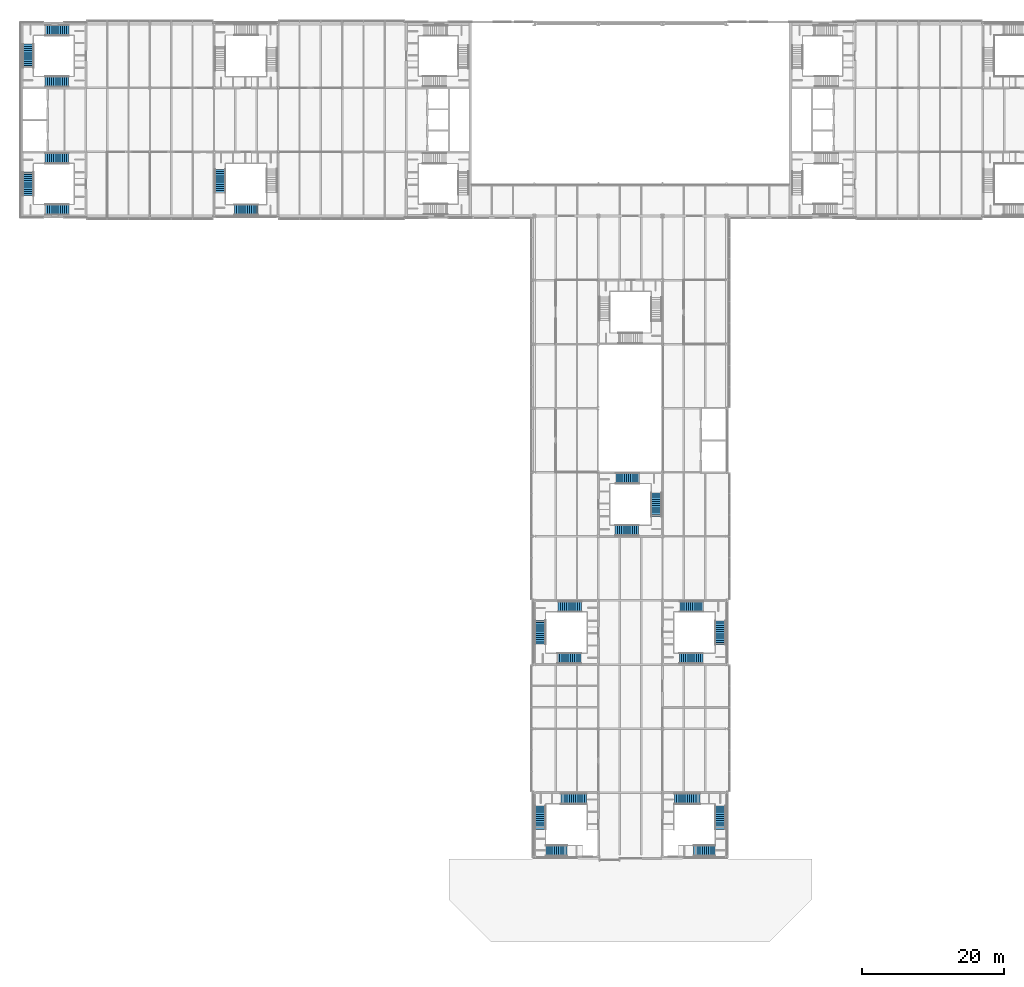
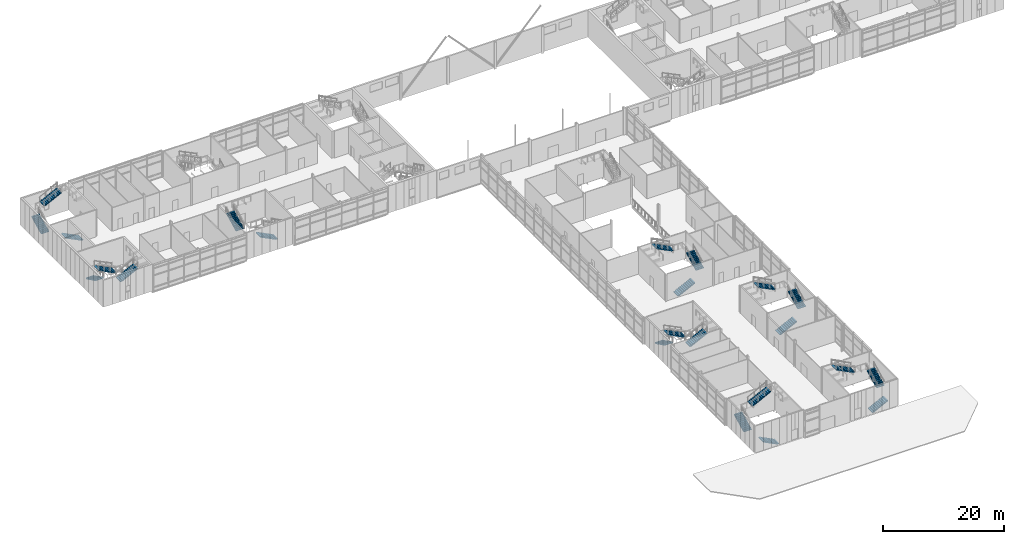
# One storey, part 44 of 56: 23 stair flights, 8 elements without a shape of their own.
"""IFC4 building model written with IfcOpenShell, lengths in metres."""

import ifcopenshell
import ifcopenshell.guid

model = None  # the IFC model being written
_history = None  # IfcOwnerHistory: only IFC2X3 demands one
_inside = {}  # id of a spatial element -> (the spatial element, [elements in it])
_under = {}  # id of a project, library or spatial element -> (it, [spatial elements below it])
_declared = {}  # id of a project -> (the project, [libraries it declares])
_typed = {}  # id of a type object -> (the type object, [elements of that type])
_made_of = {}  # id of a material, layer set ... -> (it, [elements and type objects made of it])


def new_model(schema):
    """Start an empty IFC model of exactly this schema.

    Asked for "IFC4X3", IfcOpenShell would pick the latest addendum, in which some entities
    have other attributes; the version numbers below select the first issue.
    IFC2X3 requires an IfcOwnerHistory on every rooted entity: one is made here for all.
    """
    global model, _history
    if schema == "IFC4X3":
        model = ifcopenshell.file(schema_version=(4, 3, 0, 0))
    else:
        model = ifcopenshell.file(schema=schema)
    _inside.clear()
    _under.clear()
    _declared.clear()
    _typed.clear()
    _made_of.clear()
    _history = None
    if model.schema == "IFC2X3":
        org = make("IfcOrganization", Name="unknown")
        user = make(
            "IfcPersonAndOrganization",
            ThePerson=make("IfcPerson", FamilyName="unknown"),
            TheOrganization=org,
        )
        app = make(
            "IfcApplication",
            ApplicationDeveloper=org,
            Version="unknown",
            ApplicationFullName="unknown",
            ApplicationIdentifier="unknown",
        )
        _history = make(
            "IfcOwnerHistory",
            OwningUser=user,
            OwningApplication=app,
            ChangeAction="ADDED",
            CreationDate=0,
        )
    return model


def make(cls, **values):
    """One entity of the class cls with the attributes given. An attribute that is None is left unset."""
    return model.create_entity(
        cls, **{name: value for name, value in values.items() if value is not None}
    )


def rooted(cls, **values):
    """An entity with a GlobalId (a new one), such as an element, a storey or a relation."""
    return make(cls, GlobalId=ifcopenshell.guid.new(), OwnerHistory=_history, **values)


def si_unit(unit_type, name, prefix=None):
    """IfcSIUnit, for example si_unit("LENGTHUNIT", "METRE", prefix="MILLI")."""
    return make("IfcSIUnit", UnitType=unit_type, Prefix=prefix, Name=name)


def assignment(units):
    """IfcUnitAssignment: the units of a project."""
    return None if units is None else make("IfcUnitAssignment", Units=units)


def point(xyz):
    """IfcCartesianPoint."""
    return None if xyz is None else make("IfcCartesianPoint", Coordinates=xyz)


def direction(xyz):
    """IfcDirection."""
    return None if xyz is None else make("IfcDirection", DirectionRatios=xyz)


def frame(location, z_axis=None, x_axis=None):
    """IfcAxis2Placement3D, a coordinate frame: its origin and axes. An axis left out is left unset."""
    return make(
        "IfcAxis2Placement3D",
        Location=point(location),
        Axis=direction(z_axis),
        RefDirection=direction(x_axis),
    )


def origin():
    """The frame at (0, 0, 0) with its axes left unset."""
    return frame((0.0, 0.0, 0.0))


def place(relative_to, where):
    """IfcLocalPlacement: puts the frame where relative to a parent placement (None: the world)."""
    return make(
        "IfcLocalPlacement", PlacementRelTo=relative_to, RelativePlacement=where
    )


def context(
    kind, dimensions, precision=None, world=None, true_north=None, identifier=None
):
    """IfcGeometricRepresentationContext, for example the 3D "Model" context."""
    return make(
        "IfcGeometricRepresentationContext",
        ContextIdentifier=identifier,
        ContextType=kind,
        CoordinateSpaceDimension=dimensions,
        Precision=precision,
        WorldCoordinateSystem=world,
        TrueNorth=true_north,
    )


def subcontext(parent, identifier, kind, view, scale=None):
    """IfcGeometricRepresentationSubContext, for example "Body" below "Model"."""
    return make(
        "IfcGeometricRepresentationSubContext",
        ContextIdentifier=identifier,
        ContextType=kind,
        ParentContext=parent,
        TargetScale=scale,
        TargetView=view,
    )


def project(units=None, contexts=None):
    """IfcProject with its units and contexts."""
    return rooted(
        "IfcProject",
        Name="project",
        RepresentationContexts=contexts,
        UnitsInContext=assignment(units),
    )


def spatial(cls, under=None, at=None, **own):
    """A site, building, storey or space (cls), placed at a placement, below another one or the project."""
    s = rooted(cls, ObjectPlacement=at, **own)
    if under is not None:
        _under.setdefault(under.id(), (under, []))[1].append(s)
    return s


def polyline(points):
    """IfcPolyline through the points."""
    return make("IfcPolyline", Points=[point(p) for p in points])


def outline(outer, holes=None, kind="AREA"):
    """IfcArbitraryClosedProfileDef: a profile drawn as a closed curve; with holes, ...WithVoids."""
    if holes is None:
        return make("IfcArbitraryClosedProfileDef", ProfileType=kind, OuterCurve=outer)
    return make(
        "IfcArbitraryProfileDefWithVoids",
        ProfileType=kind,
        OuterCurve=outer,
        InnerCurves=holes,
    )


def extrude(swept, where, along, depth):
    """IfcExtrudedAreaSolid: the profile swept, set in the frame where, extruded along a direction by depth."""
    return make(
        "IfcExtrudedAreaSolid",
        SweptArea=swept,
        Position=where,
        ExtrudedDirection=direction(along),
        Depth=depth,
    )


def shape(context_of_items, identifier, shape_type, items):
    """IfcShapeRepresentation: the items that make up one representation, for example the "Body"."""
    return make(
        "IfcShapeRepresentation",
        ContextOfItems=context_of_items,
        RepresentationIdentifier=identifier,
        RepresentationType=shape_type,
        Items=items,
    )


def material(Name=None, Category=None):
    """IfcMaterial."""
    return make("IfcMaterial", Name=Name, Category=Category)


def made_of(thing, what):
    """Note that an element or type object is made of a material, layer set ...; save() writes the relation."""
    if what is not None:
        _made_of.setdefault(what.id(), (what, []))[1].append(thing)
    return thing


def type_object(cls, material=None, **own):
    """A type object (cls), such as IfcWallType, which elements share."""
    return made_of(rooted(cls, **own), material)


def element(
    cls,
    number,
    at=None,
    inside=None,
    cuts=None,
    type_object=None,
    material=None,
    context=None,
    identifier="Body",
    shape_type=None,
    held_by="IfcProductDefinitionShape",
    body=None,
    shapes=None,
    **own,
):
    """One element of the class cls, such as IfcWall. Its Tag is "e" and its number.

    at: its placement. inside: the storey or other place that contains it. cuts: it is an
    opening in that element (IfcRelVoidsElement). A single representation is given by context,
    identifier, shape_type and body (its items); several are given by shapes. held_by: the class
    of the entity that holds the representations. save() writes the other relations.
    """
    e = rooted(cls, Tag="e%d" % number, ObjectPlacement=at, **own)
    if body is not None:
        shapes = [shape(context, identifier, shape_type, body)]
    if shapes is not None:
        e.Representation = make(held_by, Representations=shapes)
    if inside is not None:
        _inside.setdefault(inside.id(), (inside, []))[1].append(e)
    if cuts is not None:
        rooted(
            "IfcRelVoidsElement", RelatingBuildingElement=cuts, RelatedOpeningElement=e
        )
    if type_object is not None:
        _typed.setdefault(type_object.id(), (type_object, []))[1].append(e)
    return made_of(e, material)


def aggregate(whole, parts):
    """IfcRelAggregates: a whole, such as a stair, and the parts it consists of."""
    return rooted("IfcRelAggregates", RelatingObject=whole, RelatedObjects=parts)


def save(model, path):
    """Write the relations noted so far, then the file.

    IfcRelAggregates (storeys below a building ...), IfcRelContainedInSpatialStructure (elements
    in a storey), IfcRelDefinesByType, IfcRelAssociatesMaterial and IfcRelDeclares: one each for
    every whole, place, type object, material and project.
    """
    for whole, parts in _under.values():
        aggregate(whole, parts)
    for where, things in _inside.values():
        rooted(
            "IfcRelContainedInSpatialStructure",
            RelatedElements=things,
            RelatingStructure=where,
        )
    for kind, things in _typed.values():
        rooted("IfcRelDefinesByType", RelatedObjects=things, RelatingType=kind)
    for what, things in _made_of.values():
        rooted("IfcRelAssociatesMaterial", RelatedObjects=things, RelatingMaterial=what)
    for by, libraries in _declared.values():
        rooted("IfcRelDeclares", RelatingContext=by, RelatedDefinitions=libraries)
    model.write(path)


model = new_model("IFC4")

# Units and contexts
model_context = context("Model", 3, precision=1e-05, world=origin(), true_north=direction((0.0, 1.0)))
body_context = subcontext(model_context, "Body", "Model", "MODEL_VIEW")
ifc_project = project(units=[si_unit("LENGTHUNIT", "METRE"), si_unit("AREAUNIT", "SQUARE_METRE"), si_unit("VOLUMEUNIT", "CUBIC_METRE"), si_unit("PLANEANGLEUNIT", "RADIAN"), si_unit("MASSUNIT", "GRAM", prefix="KILO")], contexts=[model_context])

# Site, building, storey
site_placement = place(None, origin())
site = spatial("IfcSite", under=ifc_project, at=site_placement, CompositionType="ELEMENT")
building_placement = place(site_placement, origin())
building = spatial("IfcBuilding", under=site, at=building_placement, Name="Azimuth Sports and Learning Centre", CompositionType="ELEMENT")
storey_placement = place(building_placement, frame((0.0, 0.0, 5.39990234375)))
storey = spatial("IfcBuildingStorey", under=building, at=storey_placement, Name="L01", CompositionType="ELEMENT", Elevation=5.39990234375)

# Stair, stair flight
ifc_material_1 = material(Name="Concrete C32/40", Category="concrete")
stair_type_1 = type_object("IfcStairType", Name="Square-well stair stem cell 5400 storey", PredefinedType="THREE_QUARTER_TURN_STAIR", material=ifc_material_1)
stair_1_placement = place(storey_placement, origin())
stair_1 = element("IfcStair", 1, at=stair_1_placement, inside=storey, type_object=stair_type_1, Name="Stair ST1 L01-L02", PredefinedType="THREE_QUARTER_TURN_STAIR")
ifc_material_2 = material(Name="Concrete C32/40", Category="concrete")
stair_flight_type_1 = type_object("IfcStairFlightType", Name="Stair flight 11 risers", PredefinedType="STRAIGHT", material=ifc_material_2)
stair_flight_1_placement = place(storey_placement, frame((76.610107421875, 0.860107421875, 0.0), z_axis=(0.0, 0.0, 1.0), x_axis=(-1.0, 0.0, 0.0)))
stair_flight_1 = element("IfcStairFlight", 2, at=stair_flight_1_placement, type_object=stair_flight_type_1, Name="Stair ST1 L01 flight 1", NumberOfRisers=11, NumberOfTreads=10, PredefinedType="STRAIGHT", RiserHeight=0.15, TreadLength=0.3, context=body_context, shape_type="SweptSolid", body=[
    extrude(outline(polyline([(0.0, 0.0), (0.0, 0.14990234375), (0.300048828125, 0.14990234375), (0.300048828125, 0.300048828125), (0.60009765625, 0.300048828125), (0.60009765625, 0.449951171875), (0.89990234375, 0.449951171875), (0.89990234375, 0.60009765625), (1.199951171875, 0.60009765625), (1.199951171875, 0.75), (1.5, 0.75), (1.5, 0.89990234375), (1.800048828125, 0.89990234375), (1.800048828125, 1.050048828125), (2.10009765625, 1.050048828125), (2.10009765625, 1.199951171875), (2.39990234375, 1.199951171875), (2.39990234375, 1.35009765625), (2.699951171875, 1.35009765625), (2.699951171875, 1.5), (3.0, 1.5), (3.0, 1.64990234375), (3.0, 1.33251953125), (0.335205078125, 0.0), (0.0, 0.0)])), frame((0.0, 0.75, 0.0), z_axis=(0.0, -1.0, 0.0), x_axis=(1.0, 0.0, 0.0)), (0.0, 0.0, 1.0), 1.5),
])

stair_2_placement = place(storey_placement, origin())
stair_2 = element("IfcStair", 3, at=stair_2_placement, inside=storey, type_object=stair_type_1, Name="Stair ST2 L01-L02", PredefinedType="THREE_QUARTER_TURN_STAIR")
stair_flight_2_placement = place(storey_placement, frame((94.389892578125, 0.860107421875, 0.0), z_axis=(0.0, 0.0, 1.0), x_axis=(1.0, 0.0, 0.0)))
stair_flight_2 = element("IfcStairFlight", 4, at=stair_flight_2_placement, type_object=stair_flight_type_1, Name="Stair ST2 L01 flight 1", NumberOfRisers=11, NumberOfTreads=10, PredefinedType="STRAIGHT", RiserHeight=0.15, TreadLength=0.3, context=body_context, shape_type="SweptSolid", body=[
    extrude(outline(polyline([(0.0, 0.0), (0.0, 0.14990234375), (0.300048828125, 0.14990234375), (0.300048828125, 0.300048828125), (0.60009765625, 0.300048828125), (0.60009765625, 0.449951171875), (0.89990234375, 0.449951171875), (0.89990234375, 0.60009765625), (1.199951171875, 0.60009765625), (1.199951171875, 0.75), (1.5, 0.75), (1.5, 0.89990234375), (1.800048828125, 0.89990234375), (1.800048828125, 1.050048828125), (2.10009765625, 1.050048828125), (2.10009765625, 1.199951171875), (2.39990234375, 1.199951171875), (2.39990234375, 1.35009765625), (2.699951171875, 1.35009765625), (2.699951171875, 1.5), (3.0, 1.5), (3.0, 1.64990234375), (3.0, 1.33251953125), (0.335205078125, 0.0), (0.0, 0.0)])), frame((0.0, 0.75, 0.0), z_axis=(0.0, -1.0, 0.0), x_axis=(1.0, 0.0, 0.0)), (0.0, 0.0, 1.0), 1.5),
])

# Stair, stair flights
ifc_material_3 = material(Name="Concrete C32/40", Category="concrete")
stair_type_2 = type_object("IfcStairType", Name="Square-well stair end core 5400 storey", PredefinedType="THREE_QUARTER_TURN_STAIR", material=ifc_material_3)
stair_3_placement = place(storey_placement, origin())
stair_3 = element("IfcStair", 5, at=stair_3_placement, inside=storey, type_object=stair_type_2, Name="Stair WW1 L01-L02", PredefinedType="THREE_QUARTER_TURN_STAIR")
ifc_material_4 = material(Name="Concrete C32/40", Category="concrete")
stair_flight_type_2 = type_object("IfcStairFlightType", Name="Stair flight 12 risers", PredefinedType="STRAIGHT", material=ifc_material_4)
stair_flight_3_placement = place(storey_placement, frame((6.590087890625, 98.114990234375, 0.0), z_axis=(0.0, 0.0, 1.0), x_axis=(-1.0, 0.0, 0.0)))
stair_flight_3 = element("IfcStairFlight", 6, at=stair_flight_3_placement, type_object=stair_flight_type_2, Name="Stair WW1 L01 flight 1", NumberOfRisers=12, NumberOfTreads=11, PredefinedType="STRAIGHT", RiserHeight=0.15, TreadLength=0.3, context=body_context, shape_type="SweptSolid", body=[
    extrude(outline(polyline([(0.0, 0.0), (0.0, 0.14990234375), (0.300048828125, 0.14990234375), (0.300048828125, 0.300048828125), (0.60009765625, 0.300048828125), (0.60009765625, 0.449951171875), (0.89990234375, 0.449951171875), (0.89990234375, 0.60009765625), (1.199951171875, 0.60009765625), (1.199951171875, 0.75), (1.5, 0.75), (1.5, 0.89990234375), (1.800048828125, 0.89990234375), (1.800048828125, 1.050048828125), (2.10009765625, 1.050048828125), (2.10009765625, 1.199951171875), (2.39990234375, 1.199951171875), (2.39990234375, 1.35009765625), (2.699951171875, 1.35009765625), (2.699951171875, 1.5), (3.0, 1.5), (3.0, 1.64990234375), (3.300048828125, 1.64990234375), (3.300048828125, 1.800048828125), (3.300048828125, 1.482421875), (0.335205078125, 0.0), (0.0, 0.0)])), frame((0.0, 0.75, 0.0), z_axis=(0.0, -1.0, 0.0), x_axis=(1.0, 0.0, 0.0)), (0.0, 0.0, 1.0), 1.5),
])
stair_flight_4_placement = place(storey_placement, frame((0.909912109375, 96.1650390625, 1.800048828125), z_axis=(0.0, 0.0, 1.0), x_axis=(0.0, -1.0, 0.0)))
stair_flight_4 = element("IfcStairFlight", 7, at=stair_flight_4_placement, type_object=stair_flight_type_2, Name="Stair WW1 L01 flight 2", NumberOfRisers=12, NumberOfTreads=11, PredefinedType="STRAIGHT", RiserHeight=0.15, TreadLength=0.3, context=body_context, shape_type="SweptSolid", body=[
    extrude(outline(polyline([(0.0, 0.0), (0.0, 0.14990234375), (0.300048828125, 0.14990234375), (0.300048828125, 0.300048828125), (0.60009765625, 0.300048828125), (0.60009765625, 0.449951171875), (0.89990234375, 0.449951171875), (0.89990234375, 0.60009765625), (1.199951171875, 0.60009765625), (1.199951171875, 0.75), (1.5, 0.75), (1.5, 0.89990234375), (1.800048828125, 0.89990234375), (1.800048828125, 1.050048828125), (2.10009765625, 1.050048828125), (2.10009765625, 1.199951171875), (2.39990234375, 1.199951171875), (2.39990234375, 1.35009765625), (2.699951171875, 1.35009765625), (2.699951171875, 1.5), (3.0, 1.5), (3.0, 1.64990234375), (3.300048828125, 1.64990234375), (3.300048828125, 1.800048828125), (3.300048828125, 1.482421875), (0.335205078125, 0.0), (0.0, 0.0)])), frame((0.0, 0.75, 0.0), z_axis=(0.0, -1.0, 0.0), x_axis=(1.0, 0.0, 0.0)), (0.0, 0.0, 1.0), 1.5),
])
stair_flight_5_placement = place(storey_placement, frame((3.31005859375, 90.909912109375, 3.60009765625), z_axis=(0.0, 0.0, 1.0), x_axis=(1.0, 0.0, 0.0)))
stair_flight_5 = element("IfcStairFlight", 8, at=stair_flight_5_placement, type_object=stair_flight_type_2, Name="Stair WW1 L01 flight 3", NumberOfRisers=12, NumberOfTreads=11, PredefinedType="STRAIGHT", RiserHeight=0.15, TreadLength=0.3, context=body_context, shape_type="SweptSolid", body=[
    extrude(outline(polyline([(0.0, 0.0), (0.0, 0.14990234375), (0.300048828125, 0.14990234375), (0.300048828125, 0.300048828125), (0.60009765625, 0.300048828125), (0.60009765625, 0.449951171875), (0.89990234375, 0.449951171875), (0.89990234375, 0.60009765625), (1.199951171875, 0.60009765625), (1.199951171875, 0.75), (1.5, 0.75), (1.5, 0.89990234375), (1.800048828125, 0.89990234375), (1.800048828125, 1.050048828125), (2.10009765625, 1.050048828125), (2.10009765625, 1.199951171875), (2.39990234375, 1.199951171875), (2.39990234375, 1.35009765625), (2.699951171875, 1.35009765625), (2.699951171875, 1.5), (3.0, 1.5), (3.0, 1.64990234375), (3.300048828125, 1.64990234375), (3.300048828125, 1.800048828125), (3.300048828125, 1.482421875), (0.335205078125, 0.0), (0.0, 0.0)])), frame((0.0, 0.75, 0.0), z_axis=(0.0, -1.0, 0.0), x_axis=(1.0, 0.0, 0.0)), (0.0, 0.0, 1.0), 1.5),
])
aggregate(stair_3, [stair_flight_3, stair_flight_4, stair_flight_5])

stair_4_placement = place(storey_placement, origin())
stair_4 = element("IfcStair", 9, at=stair_4_placement, inside=storey, type_object=stair_type_2, Name="Stair WW2 L01-L02", PredefinedType="THREE_QUARTER_TURN_STAIR")
stair_flight_6_placement = place(storey_placement, frame((6.590087890625, 108.885009765625, 0.0), z_axis=(0.0, 0.0, 1.0), x_axis=(-1.0, 0.0, 0.0)))
stair_flight_6 = element("IfcStairFlight", 10, at=stair_flight_6_placement, type_object=stair_flight_type_2, Name="Stair WW2 L01 flight 1", NumberOfRisers=12, NumberOfTreads=11, PredefinedType="STRAIGHT", RiserHeight=0.15, TreadLength=0.3, context=body_context, shape_type="SweptSolid", body=[
    extrude(outline(polyline([(0.0, 0.0), (0.0, 0.14990234375), (0.300048828125, 0.14990234375), (0.300048828125, 0.300048828125), (0.60009765625, 0.300048828125), (0.60009765625, 0.449951171875), (0.89990234375, 0.449951171875), (0.89990234375, 0.60009765625), (1.199951171875, 0.60009765625), (1.199951171875, 0.75), (1.5, 0.75), (1.5, 0.89990234375), (1.800048828125, 0.89990234375), (1.800048828125, 1.050048828125), (2.10009765625, 1.050048828125), (2.10009765625, 1.199951171875), (2.39990234375, 1.199951171875), (2.39990234375, 1.35009765625), (2.699951171875, 1.35009765625), (2.699951171875, 1.5), (3.0, 1.5), (3.0, 1.64990234375), (3.300048828125, 1.64990234375), (3.300048828125, 1.800048828125), (3.300048828125, 1.482421875), (0.335205078125, 0.0), (0.0, 0.0)])), frame((0.0, 0.75, 0.0), z_axis=(0.0, -1.0, 0.0), x_axis=(1.0, 0.0, 0.0)), (0.0, 0.0, 1.0), 1.5),
])
stair_flight_7_placement = place(storey_placement, frame((0.909912109375, 110.8349609375, 1.800048828125), z_axis=(0.0, 0.0, 1.0), x_axis=(0.0, 1.0, 0.0)))
stair_flight_7 = element("IfcStairFlight", 11, at=stair_flight_7_placement, type_object=stair_flight_type_2, Name="Stair WW2 L01 flight 2", NumberOfRisers=12, NumberOfTreads=11, PredefinedType="STRAIGHT", RiserHeight=0.15, TreadLength=0.3, context=body_context, shape_type="SweptSolid", body=[
    extrude(outline(polyline([(0.0, 0.0), (0.0, 0.14990234375), (0.300048828125, 0.14990234375), (0.300048828125, 0.300048828125), (0.60009765625, 0.300048828125), (0.60009765625, 0.449951171875), (0.89990234375, 0.449951171875), (0.89990234375, 0.60009765625), (1.199951171875, 0.60009765625), (1.199951171875, 0.75), (1.5, 0.75), (1.5, 0.89990234375), (1.800048828125, 0.89990234375), (1.800048828125, 1.050048828125), (2.10009765625, 1.050048828125), (2.10009765625, 1.199951171875), (2.39990234375, 1.199951171875), (2.39990234375, 1.35009765625), (2.699951171875, 1.35009765625), (2.699951171875, 1.5), (3.0, 1.5), (3.0, 1.64990234375), (3.300048828125, 1.64990234375), (3.300048828125, 1.800048828125), (3.300048828125, 1.482421875), (0.335205078125, 0.0), (0.0, 0.0)])), frame((0.0, 0.75, 0.0), z_axis=(0.0, -1.0, 0.0), x_axis=(1.0, 0.0, 0.0)), (0.0, 0.0, 1.0), 1.5),
])
stair_flight_8_placement = place(storey_placement, frame((3.31005859375, 116.090087890625, 3.60009765625), z_axis=(0.0, 0.0, 1.0), x_axis=(1.0, 0.0, 0.0)))
stair_flight_8 = element("IfcStairFlight", 12, at=stair_flight_8_placement, type_object=stair_flight_type_2, Name="Stair WW2 L01 flight 3", NumberOfRisers=12, NumberOfTreads=11, PredefinedType="STRAIGHT", RiserHeight=0.15, TreadLength=0.3, context=body_context, shape_type="SweptSolid", body=[
    extrude(outline(polyline([(0.0, 0.0), (0.0, 0.14990234375), (0.300048828125, 0.14990234375), (0.300048828125, 0.300048828125), (0.60009765625, 0.300048828125), (0.60009765625, 0.449951171875), (0.89990234375, 0.449951171875), (0.89990234375, 0.60009765625), (1.199951171875, 0.60009765625), (1.199951171875, 0.75), (1.5, 0.75), (1.5, 0.89990234375), (1.800048828125, 0.89990234375), (1.800048828125, 1.050048828125), (2.10009765625, 1.050048828125), (2.10009765625, 1.199951171875), (2.39990234375, 1.199951171875), (2.39990234375, 1.35009765625), (2.699951171875, 1.35009765625), (2.699951171875, 1.5), (3.0, 1.5), (3.0, 1.64990234375), (3.300048828125, 1.64990234375), (3.300048828125, 1.800048828125), (3.300048828125, 1.482421875), (0.335205078125, 0.0), (0.0, 0.0)])), frame((0.0, 0.75, 0.0), z_axis=(0.0, -1.0, 0.0), x_axis=(1.0, 0.0, 0.0)), (0.0, 0.0, 1.0), 1.5),
])
aggregate(stair_4, [stair_flight_6, stair_flight_7, stair_flight_8])

ifc_material_5 = material(Name="Concrete C32/40", Category="concrete")
stair_type_3 = type_object("IfcStairType", Name="Square-well stair mid-wing cell 5400 storey", PredefinedType="THREE_QUARTER_TURN_STAIR", material=ifc_material_5)
stair_5_placement = place(storey_placement, origin())
stair_5 = element("IfcStair", 13, at=stair_5_placement, inside=storey, type_object=stair_type_3, Name="Stair WM1 L01-L02", PredefinedType="THREE_QUARTER_TURN_STAIR")
stair_flight_9_placement = place(storey_placement, frame((33.18994140625, 90.860107421875, 1.800048828125), z_axis=(0.0, 0.0, 1.0), x_axis=(-1.0, 0.0, 0.0)))
stair_flight_9 = element("IfcStairFlight", 14, at=stair_flight_9_placement, type_object=stair_flight_type_2, Name="Stair WM1 L01 flight 2", NumberOfRisers=12, NumberOfTreads=11, PredefinedType="STRAIGHT", RiserHeight=0.15, TreadLength=0.3, context=body_context, shape_type="SweptSolid", body=[
    extrude(outline(polyline([(0.0, 0.0), (0.0, 0.14990234375), (0.300048828125, 0.14990234375), (0.300048828125, 0.300048828125), (0.60009765625, 0.300048828125), (0.60009765625, 0.449951171875), (0.89990234375, 0.449951171875), (0.89990234375, 0.60009765625), (1.199951171875, 0.60009765625), (1.199951171875, 0.75), (1.5, 0.75), (1.5, 0.89990234375), (1.800048828125, 0.89990234375), (1.800048828125, 1.050048828125), (2.10009765625, 1.050048828125), (2.10009765625, 1.199951171875), (2.39990234375, 1.199951171875), (2.39990234375, 1.35009765625), (2.699951171875, 1.35009765625), (2.699951171875, 1.5), (3.0, 1.5), (3.0, 1.64990234375), (3.300048828125, 1.64990234375), (3.300048828125, 1.800048828125), (3.300048828125, 1.482421875), (0.335205078125, 0.0), (0.0, 0.0)])), frame((0.0, 0.75, 0.0), z_axis=(0.0, -1.0, 0.0), x_axis=(1.0, 0.0, 0.0)), (0.0, 0.0, 1.0), 1.5),
])
stair_flight_10_placement = place(storey_placement, frame((27.860107421875, 93.260009765625, 3.60009765625), z_axis=(0.0, 0.0, 1.0), x_axis=(0.0, 1.0, 0.0)))
stair_flight_10 = element("IfcStairFlight", 15, at=stair_flight_10_placement, type_object=stair_flight_type_2, Name="Stair WM1 L01 flight 3", NumberOfRisers=12, NumberOfTreads=11, PredefinedType="STRAIGHT", RiserHeight=0.15, TreadLength=0.3, context=body_context, shape_type="SweptSolid", body=[
    extrude(outline(polyline([(0.0, 0.0), (0.0, 0.14990234375), (0.300048828125, 0.14990234375), (0.300048828125, 0.300048828125), (0.60009765625, 0.300048828125), (0.60009765625, 0.449951171875), (0.89990234375, 0.449951171875), (0.89990234375, 0.60009765625), (1.199951171875, 0.60009765625), (1.199951171875, 0.75), (1.5, 0.75), (1.5, 0.89990234375), (1.800048828125, 0.89990234375), (1.800048828125, 1.050048828125), (2.10009765625, 1.050048828125), (2.10009765625, 1.199951171875), (2.39990234375, 1.199951171875), (2.39990234375, 1.35009765625), (2.699951171875, 1.35009765625), (2.699951171875, 1.5), (3.0, 1.5), (3.0, 1.64990234375), (3.300048828125, 1.64990234375), (3.300048828125, 1.800048828125), (3.300048828125, 1.482421875), (0.335205078125, 0.0), (0.0, 0.0)])), frame((0.0, 0.75, 0.0), z_axis=(0.0, -1.0, 0.0), x_axis=(1.0, 0.0, 0.0)), (0.0, 0.0, 1.0), 1.5),
])
aggregate(stair_5, [stair_flight_9, stair_flight_10])

# Stair flight
stair_flight_11_placement = place(storey_placement, frame((72.860107421875, 3.860107421875, 1.650146484375), z_axis=(0.0, 0.0, 1.0), x_axis=(0.0, 1.0, 0.0)))
stair_flight_11 = element("IfcStairFlight", 16, at=stair_flight_11_placement, type_object=stair_flight_type_2, Name="Stair ST1 L01 flight 2", NumberOfRisers=12, NumberOfTreads=11, PredefinedType="STRAIGHT", RiserHeight=0.15, TreadLength=0.3, context=body_context, shape_type="SweptSolid", body=[
    extrude(outline(polyline([(0.0, 0.0), (0.0, 0.14990234375), (0.300048828125, 0.14990234375), (0.300048828125, 0.300048828125), (0.60009765625, 0.300048828125), (0.60009765625, 0.449951171875), (0.89990234375, 0.449951171875), (0.89990234375, 0.60009765625), (1.199951171875, 0.60009765625), (1.199951171875, 0.75), (1.5, 0.75), (1.5, 0.89990234375), (1.800048828125, 0.89990234375), (1.800048828125, 1.050048828125), (2.10009765625, 1.050048828125), (2.10009765625, 1.199951171875), (2.39990234375, 1.199951171875), (2.39990234375, 1.35009765625), (2.699951171875, 1.35009765625), (2.699951171875, 1.5), (3.0, 1.5), (3.0, 1.64990234375), (3.300048828125, 1.64990234375), (3.300048828125, 1.800048828125), (3.300048828125, 1.482421875), (0.335205078125, 0.0), (0.0, 0.0)])), frame((0.0, 0.75, 0.0), z_axis=(0.0, -1.0, 0.0), x_axis=(1.0, 0.0, 0.0)), (0.0, 0.0, 1.0), 1.5),
])

stair_flight_12_placement = place(storey_placement, frame((98.139892578125, 3.860107421875, 1.650146484375), z_axis=(0.0, 0.0, 1.0), x_axis=(0.0, 1.0, 0.0)))
stair_flight_12 = element("IfcStairFlight", 17, at=stair_flight_12_placement, type_object=stair_flight_type_2, Name="Stair ST2 L01 flight 2", NumberOfRisers=12, NumberOfTreads=11, PredefinedType="STRAIGHT", RiserHeight=0.15, TreadLength=0.3, context=body_context, shape_type="SweptSolid", body=[
    extrude(outline(polyline([(0.0, 0.0), (0.0, 0.14990234375), (0.300048828125, 0.14990234375), (0.300048828125, 0.300048828125), (0.60009765625, 0.300048828125), (0.60009765625, 0.449951171875), (0.89990234375, 0.449951171875), (0.89990234375, 0.60009765625), (1.199951171875, 0.60009765625), (1.199951171875, 0.75), (1.5, 0.75), (1.5, 0.89990234375), (1.800048828125, 0.89990234375), (1.800048828125, 1.050048828125), (2.10009765625, 1.050048828125), (2.10009765625, 1.199951171875), (2.39990234375, 1.199951171875), (2.39990234375, 1.35009765625), (2.699951171875, 1.35009765625), (2.699951171875, 1.5), (3.0, 1.5), (3.0, 1.64990234375), (3.300048828125, 1.64990234375), (3.300048828125, 1.800048828125), (3.300048828125, 1.482421875), (0.335205078125, 0.0), (0.0, 0.0)])), frame((0.0, 0.75, 0.0), z_axis=(0.0, -1.0, 0.0), x_axis=(1.0, 0.0, 0.0)), (0.0, 0.0, 1.0), 1.5),
])

# Stair, stair flights
stair_6_placement = place(storey_placement, origin())
stair_6 = element("IfcStair", 18, at=stair_6_placement, inside=storey, type_object=stair_type_1, Name="Stair ST3 L01-L02", PredefinedType="THREE_QUARTER_TURN_STAIR")
stair_flight_13_placement = place(storey_placement, frame((78.639892578125, 35.139892578125, 0.0), z_axis=(0.0, 0.0, 1.0), x_axis=(-1.0, 0.0, 0.0)))
stair_flight_13 = element("IfcStairFlight", 19, at=stair_flight_13_placement, type_object=stair_flight_type_2, Name="Stair ST3 L01 flight 1", NumberOfRisers=12, NumberOfTreads=11, PredefinedType="STRAIGHT", RiserHeight=0.15, TreadLength=0.3, context=body_context, shape_type="SweptSolid", body=[
    extrude(outline(polyline([(0.0, 0.0), (0.0, 0.14990234375), (0.300048828125, 0.14990234375), (0.300048828125, 0.300048828125), (0.60009765625, 0.300048828125), (0.60009765625, 0.449951171875), (0.89990234375, 0.449951171875), (0.89990234375, 0.60009765625), (1.199951171875, 0.60009765625), (1.199951171875, 0.75), (1.5, 0.75), (1.5, 0.89990234375), (1.800048828125, 0.89990234375), (1.800048828125, 1.050048828125), (2.10009765625, 1.050048828125), (2.10009765625, 1.199951171875), (2.39990234375, 1.199951171875), (2.39990234375, 1.35009765625), (2.699951171875, 1.35009765625), (2.699951171875, 1.5), (3.0, 1.5), (3.0, 1.64990234375), (3.300048828125, 1.64990234375), (3.300048828125, 1.800048828125), (3.300048828125, 1.482421875), (0.335205078125, 0.0), (0.0, 0.0)])), frame((0.0, 0.75, 0.0), z_axis=(0.0, -1.0, 0.0), x_axis=(1.0, 0.0, 0.0)), (0.0, 0.0, 1.0), 1.5),
])
stair_flight_14_placement = place(storey_placement, frame((72.860107421875, 33.18994140625, 1.800048828125), z_axis=(0.0, 0.0, 1.0), x_axis=(0.0, -1.0, 0.0)))
stair_flight_14 = element("IfcStairFlight", 20, at=stair_flight_14_placement, type_object=stair_flight_type_2, Name="Stair ST3 L01 flight 2", NumberOfRisers=12, NumberOfTreads=11, PredefinedType="STRAIGHT", RiserHeight=0.15, TreadLength=0.3, context=body_context, shape_type="SweptSolid", body=[
    extrude(outline(polyline([(0.0, 0.0), (0.0, 0.14990234375), (0.300048828125, 0.14990234375), (0.300048828125, 0.300048828125), (0.60009765625, 0.300048828125), (0.60009765625, 0.449951171875), (0.89990234375, 0.449951171875), (0.89990234375, 0.60009765625), (1.199951171875, 0.60009765625), (1.199951171875, 0.75), (1.5, 0.75), (1.5, 0.89990234375), (1.800048828125, 0.89990234375), (1.800048828125, 1.050048828125), (2.10009765625, 1.050048828125), (2.10009765625, 1.199951171875), (2.39990234375, 1.199951171875), (2.39990234375, 1.35009765625), (2.699951171875, 1.35009765625), (2.699951171875, 1.5), (3.0, 1.5), (3.0, 1.64990234375), (3.300048828125, 1.64990234375), (3.300048828125, 1.800048828125), (3.300048828125, 1.482421875), (0.335205078125, 0.0), (0.0, 0.0)])), frame((0.0, 0.75, 0.0), z_axis=(0.0, -1.0, 0.0), x_axis=(1.0, 0.0, 0.0)), (0.0, 0.0, 1.0), 1.5),
])
stair_flight_15_placement = place(storey_placement, frame((75.260009765625, 27.860107421875, 3.60009765625), z_axis=(0.0, 0.0, 1.0), x_axis=(1.0, 0.0, 0.0)))
stair_flight_15 = element("IfcStairFlight", 21, at=stair_flight_15_placement, type_object=stair_flight_type_2, Name="Stair ST3 L01 flight 3", NumberOfRisers=12, NumberOfTreads=11, PredefinedType="STRAIGHT", RiserHeight=0.15, TreadLength=0.3, context=body_context, shape_type="SweptSolid", body=[
    extrude(outline(polyline([(0.0, 0.0), (0.0, 0.14990234375), (0.300048828125, 0.14990234375), (0.300048828125, 0.300048828125), (0.60009765625, 0.300048828125), (0.60009765625, 0.449951171875), (0.89990234375, 0.449951171875), (0.89990234375, 0.60009765625), (1.199951171875, 0.60009765625), (1.199951171875, 0.75), (1.5, 0.75), (1.5, 0.89990234375), (1.800048828125, 0.89990234375), (1.800048828125, 1.050048828125), (2.10009765625, 1.050048828125), (2.10009765625, 1.199951171875), (2.39990234375, 1.199951171875), (2.39990234375, 1.35009765625), (2.699951171875, 1.35009765625), (2.699951171875, 1.5), (3.0, 1.5), (3.0, 1.64990234375), (3.300048828125, 1.64990234375), (3.300048828125, 1.800048828125), (3.300048828125, 1.482421875), (0.335205078125, 0.0), (0.0, 0.0)])), frame((0.0, 0.75, 0.0), z_axis=(0.0, -1.0, 0.0), x_axis=(1.0, 0.0, 0.0)), (0.0, 0.0, 1.0), 1.5),
])
aggregate(stair_6, [stair_flight_13, stair_flight_14, stair_flight_15])

stair_7_placement = place(storey_placement, origin())
stair_7 = element("IfcStair", 22, at=stair_7_placement, inside=storey, type_object=stair_type_1, Name="Stair ST4 L01-L02", PredefinedType="THREE_QUARTER_TURN_STAIR")
stair_flight_16_placement = place(storey_placement, frame((92.360107421875, 27.860107421875, 0.0), z_axis=(0.0, 0.0, 1.0), x_axis=(1.0, 0.0, 0.0)))
stair_flight_16 = element("IfcStairFlight", 23, at=stair_flight_16_placement, type_object=stair_flight_type_2, Name="Stair ST4 L01 flight 1", NumberOfRisers=12, NumberOfTreads=11, PredefinedType="STRAIGHT", RiserHeight=0.15, TreadLength=0.3, context=body_context, shape_type="SweptSolid", body=[
    extrude(outline(polyline([(0.0, 0.0), (0.0, 0.14990234375), (0.300048828125, 0.14990234375), (0.300048828125, 0.300048828125), (0.60009765625, 0.300048828125), (0.60009765625, 0.449951171875), (0.89990234375, 0.449951171875), (0.89990234375, 0.60009765625), (1.199951171875, 0.60009765625), (1.199951171875, 0.75), (1.5, 0.75), (1.5, 0.89990234375), (1.800048828125, 0.89990234375), (1.800048828125, 1.050048828125), (2.10009765625, 1.050048828125), (2.10009765625, 1.199951171875), (2.39990234375, 1.199951171875), (2.39990234375, 1.35009765625), (2.699951171875, 1.35009765625), (2.699951171875, 1.5), (3.0, 1.5), (3.0, 1.64990234375), (3.300048828125, 1.64990234375), (3.300048828125, 1.800048828125), (3.300048828125, 1.482421875), (0.335205078125, 0.0), (0.0, 0.0)])), frame((0.0, 0.75, 0.0), z_axis=(0.0, -1.0, 0.0), x_axis=(1.0, 0.0, 0.0)), (0.0, 0.0, 1.0), 1.5),
])
stair_flight_17_placement = place(storey_placement, frame((98.139892578125, 29.81005859375, 1.800048828125), z_axis=(0.0, 0.0, 1.0), x_axis=(0.0, 1.0, 0.0)))
stair_flight_17 = element("IfcStairFlight", 24, at=stair_flight_17_placement, type_object=stair_flight_type_2, Name="Stair ST4 L01 flight 2", NumberOfRisers=12, NumberOfTreads=11, PredefinedType="STRAIGHT", RiserHeight=0.15, TreadLength=0.3, context=body_context, shape_type="SweptSolid", body=[
    extrude(outline(polyline([(0.0, 0.0), (0.0, 0.14990234375), (0.300048828125, 0.14990234375), (0.300048828125, 0.300048828125), (0.60009765625, 0.300048828125), (0.60009765625, 0.449951171875), (0.89990234375, 0.449951171875), (0.89990234375, 0.60009765625), (1.199951171875, 0.60009765625), (1.199951171875, 0.75), (1.5, 0.75), (1.5, 0.89990234375), (1.800048828125, 0.89990234375), (1.800048828125, 1.050048828125), (2.10009765625, 1.050048828125), (2.10009765625, 1.199951171875), (2.39990234375, 1.199951171875), (2.39990234375, 1.35009765625), (2.699951171875, 1.35009765625), (2.699951171875, 1.5), (3.0, 1.5), (3.0, 1.64990234375), (3.300048828125, 1.64990234375), (3.300048828125, 1.800048828125), (3.300048828125, 1.482421875), (0.335205078125, 0.0), (0.0, 0.0)])), frame((0.0, 0.75, 0.0), z_axis=(0.0, -1.0, 0.0), x_axis=(1.0, 0.0, 0.0)), (0.0, 0.0, 1.0), 1.5),
])
stair_flight_18_placement = place(storey_placement, frame((95.739990234375, 35.139892578125, 3.60009765625), z_axis=(0.0, 0.0, 1.0), x_axis=(-1.0, 0.0, 0.0)))
stair_flight_18 = element("IfcStairFlight", 25, at=stair_flight_18_placement, type_object=stair_flight_type_2, Name="Stair ST4 L01 flight 3", NumberOfRisers=12, NumberOfTreads=11, PredefinedType="STRAIGHT", RiserHeight=0.15, TreadLength=0.3, context=body_context, shape_type="SweptSolid", body=[
    extrude(outline(polyline([(0.0, 0.0), (0.0, 0.14990234375), (0.300048828125, 0.14990234375), (0.300048828125, 0.300048828125), (0.60009765625, 0.300048828125), (0.60009765625, 0.449951171875), (0.89990234375, 0.449951171875), (0.89990234375, 0.60009765625), (1.199951171875, 0.60009765625), (1.199951171875, 0.75), (1.5, 0.75), (1.5, 0.89990234375), (1.800048828125, 0.89990234375), (1.800048828125, 1.050048828125), (2.10009765625, 1.050048828125), (2.10009765625, 1.199951171875), (2.39990234375, 1.199951171875), (2.39990234375, 1.35009765625), (2.699951171875, 1.35009765625), (2.699951171875, 1.5), (3.0, 1.5), (3.0, 1.64990234375), (3.300048828125, 1.64990234375), (3.300048828125, 1.800048828125), (3.300048828125, 1.482421875), (0.335205078125, 0.0), (0.0, 0.0)])), frame((0.0, 0.75, 0.0), z_axis=(0.0, -1.0, 0.0), x_axis=(1.0, 0.0, 0.0)), (0.0, 0.0, 1.0), 1.5),
])
aggregate(stair_7, [stair_flight_16, stair_flight_17, stair_flight_18])

stair_8_placement = place(storey_placement, origin())
stair_8 = element("IfcStair", 26, at=stair_8_placement, inside=storey, type_object=stair_type_1, Name="Stair STC L01-L02", PredefinedType="THREE_QUARTER_TURN_STAIR")
stair_flight_19_placement = place(storey_placement, frame((83.360107421875, 45.860107421875, 0.0), z_axis=(0.0, 0.0, 1.0), x_axis=(1.0, 0.0, 0.0)))
stair_flight_19 = element("IfcStairFlight", 27, at=stair_flight_19_placement, type_object=stair_flight_type_2, Name="Stair STC L01 flight 1", NumberOfRisers=12, NumberOfTreads=11, PredefinedType="STRAIGHT", RiserHeight=0.15, TreadLength=0.3, context=body_context, shape_type="SweptSolid", body=[
    extrude(outline(polyline([(0.0, 0.0), (0.0, 0.14990234375), (0.300048828125, 0.14990234375), (0.300048828125, 0.300048828125), (0.60009765625, 0.300048828125), (0.60009765625, 0.449951171875), (0.89990234375, 0.449951171875), (0.89990234375, 0.60009765625), (1.199951171875, 0.60009765625), (1.199951171875, 0.75), (1.5, 0.75), (1.5, 0.89990234375), (1.800048828125, 0.89990234375), (1.800048828125, 1.050048828125), (2.10009765625, 1.050048828125), (2.10009765625, 1.199951171875), (2.39990234375, 1.199951171875), (2.39990234375, 1.35009765625), (2.699951171875, 1.35009765625), (2.699951171875, 1.5), (3.0, 1.5), (3.0, 1.64990234375), (3.300048828125, 1.64990234375), (3.300048828125, 1.800048828125), (3.300048828125, 1.482421875), (0.335205078125, 0.0), (0.0, 0.0)])), frame((0.0, 0.75, 0.0), z_axis=(0.0, -1.0, 0.0), x_axis=(1.0, 0.0, 0.0)), (0.0, 0.0, 1.0), 1.5),
])
stair_flight_20_placement = place(storey_placement, frame((89.139892578125, 47.81005859375, 1.800048828125), z_axis=(0.0, 0.0, 1.0), x_axis=(0.0, 1.0, 0.0)))
stair_flight_20 = element("IfcStairFlight", 28, at=stair_flight_20_placement, type_object=stair_flight_type_2, Name="Stair STC L01 flight 2", NumberOfRisers=12, NumberOfTreads=11, PredefinedType="STRAIGHT", RiserHeight=0.15, TreadLength=0.3, context=body_context, shape_type="SweptSolid", body=[
    extrude(outline(polyline([(0.0, 0.0), (0.0, 0.14990234375), (0.300048828125, 0.14990234375), (0.300048828125, 0.300048828125), (0.60009765625, 0.300048828125), (0.60009765625, 0.449951171875), (0.89990234375, 0.449951171875), (0.89990234375, 0.60009765625), (1.199951171875, 0.60009765625), (1.199951171875, 0.75), (1.5, 0.75), (1.5, 0.89990234375), (1.800048828125, 0.89990234375), (1.800048828125, 1.050048828125), (2.10009765625, 1.050048828125), (2.10009765625, 1.199951171875), (2.39990234375, 1.199951171875), (2.39990234375, 1.35009765625), (2.699951171875, 1.35009765625), (2.699951171875, 1.5), (3.0, 1.5), (3.0, 1.64990234375), (3.300048828125, 1.64990234375), (3.300048828125, 1.800048828125), (3.300048828125, 1.482421875), (0.335205078125, 0.0), (0.0, 0.0)])), frame((0.0, 0.75, 0.0), z_axis=(0.0, -1.0, 0.0), x_axis=(1.0, 0.0, 0.0)), (0.0, 0.0, 1.0), 1.5),
])
stair_flight_21_placement = place(storey_placement, frame((86.739990234375, 53.139892578125, 3.60009765625), z_axis=(0.0, 0.0, 1.0), x_axis=(-1.0, 0.0, 0.0)))
stair_flight_21 = element("IfcStairFlight", 29, at=stair_flight_21_placement, type_object=stair_flight_type_2, Name="Stair STC L01 flight 3", NumberOfRisers=12, NumberOfTreads=11, PredefinedType="STRAIGHT", RiserHeight=0.15, TreadLength=0.3, context=body_context, shape_type="SweptSolid", body=[
    extrude(outline(polyline([(0.0, 0.0), (0.0, 0.14990234375), (0.300048828125, 0.14990234375), (0.300048828125, 0.300048828125), (0.60009765625, 0.300048828125), (0.60009765625, 0.449951171875), (0.89990234375, 0.449951171875), (0.89990234375, 0.60009765625), (1.199951171875, 0.60009765625), (1.199951171875, 0.75), (1.5, 0.75), (1.5, 0.89990234375), (1.800048828125, 0.89990234375), (1.800048828125, 1.050048828125), (2.10009765625, 1.050048828125), (2.10009765625, 1.199951171875), (2.39990234375, 1.199951171875), (2.39990234375, 1.35009765625), (2.699951171875, 1.35009765625), (2.699951171875, 1.5), (3.0, 1.5), (3.0, 1.64990234375), (3.300048828125, 1.64990234375), (3.300048828125, 1.800048828125), (3.300048828125, 1.482421875), (0.335205078125, 0.0), (0.0, 0.0)])), frame((0.0, 0.75, 0.0), z_axis=(0.0, -1.0, 0.0), x_axis=(1.0, 0.0, 0.0)), (0.0, 0.0, 1.0), 1.5),
])
aggregate(stair_8, [stair_flight_19, stair_flight_20, stair_flight_21])

# Stair flight
ifc_material_6 = material(Name="Concrete C32/40", Category="concrete")
stair_flight_type_3 = type_object("IfcStairFlightType", Name="Stair flight 13 risers", PredefinedType="STRAIGHT", material=ifc_material_6)
stair_flight_22_placement = place(storey_placement, frame((75.7099609375, 8.139892578125, 3.4501953125), z_axis=(0.0, 0.0, 1.0), x_axis=(1.0, 0.0, 0.0)))
stair_flight_22 = element("IfcStairFlight", 30, at=stair_flight_22_placement, type_object=stair_flight_type_3, Name="Stair ST1 L01 flight 3", NumberOfRisers=13, NumberOfTreads=12, PredefinedType="STRAIGHT", RiserHeight=0.15, TreadLength=0.3, context=body_context, shape_type="SweptSolid", body=[
    extrude(outline(polyline([(0.0, 0.0), (0.0, 0.14990234375), (0.300048828125, 0.14990234375), (0.300048828125, 0.300048828125), (0.60009765625, 0.300048828125), (0.60009765625, 0.449951171875), (0.89990234375, 0.449951171875), (0.89990234375, 0.60009765625), (1.199951171875, 0.60009765625), (1.199951171875, 0.75), (1.5, 0.75), (1.5, 0.89990234375), (1.800048828125, 0.89990234375), (1.800048828125, 1.050048828125), (2.10009765625, 1.050048828125), (2.10009765625, 1.199951171875), (2.39990234375, 1.199951171875), (2.39990234375, 1.35009765625), (2.699951171875, 1.35009765625), (2.699951171875, 1.5), (3.0, 1.5), (3.0, 1.64990234375), (3.300048828125, 1.64990234375), (3.300048828125, 1.800048828125), (3.60009765625, 1.800048828125), (3.60009765625, 1.949951171875), (3.60009765625, 1.63232421875), (0.335205078125, 0.0), (0.0, 0.0)])), frame((0.0, 0.75, 0.0), z_axis=(0.0, -1.0, 0.0), x_axis=(1.0, 0.0, 0.0)), (0.0, 0.0, 1.0), 1.5),
])

aggregate(stair_1, [stair_flight_1, stair_flight_11, stair_flight_22])

stair_flight_23_placement = place(storey_placement, frame((95.2900390625, 8.139892578125, 3.4501953125), z_axis=(0.0, 0.0, 1.0), x_axis=(-1.0, 0.0, 0.0)))
stair_flight_23 = element("IfcStairFlight", 31, at=stair_flight_23_placement, type_object=stair_flight_type_3, Name="Stair ST2 L01 flight 3", NumberOfRisers=13, NumberOfTreads=12, PredefinedType="STRAIGHT", RiserHeight=0.15, TreadLength=0.3, context=body_context, shape_type="SweptSolid", body=[
    extrude(outline(polyline([(0.0, 0.0), (0.0, 0.14990234375), (0.300048828125, 0.14990234375), (0.300048828125, 0.300048828125), (0.60009765625, 0.300048828125), (0.60009765625, 0.449951171875), (0.89990234375, 0.449951171875), (0.89990234375, 0.60009765625), (1.199951171875, 0.60009765625), (1.199951171875, 0.75), (1.5, 0.75), (1.5, 0.89990234375), (1.800048828125, 0.89990234375), (1.800048828125, 1.050048828125), (2.10009765625, 1.050048828125), (2.10009765625, 1.199951171875), (2.39990234375, 1.199951171875), (2.39990234375, 1.35009765625), (2.699951171875, 1.35009765625), (2.699951171875, 1.5), (3.0, 1.5), (3.0, 1.64990234375), (3.300048828125, 1.64990234375), (3.300048828125, 1.800048828125), (3.60009765625, 1.800048828125), (3.60009765625, 1.949951171875), (3.60009765625, 1.63232421875), (0.335205078125, 0.0), (0.0, 0.0)])), frame((0.0, 0.75, 0.0), z_axis=(0.0, -1.0, 0.0), x_axis=(1.0, 0.0, 0.0)), (0.0, 0.0, 1.0), 1.5),
])

aggregate(stair_2, [stair_flight_2, stair_flight_12, stair_flight_23])

save(model, "model.ifc")
